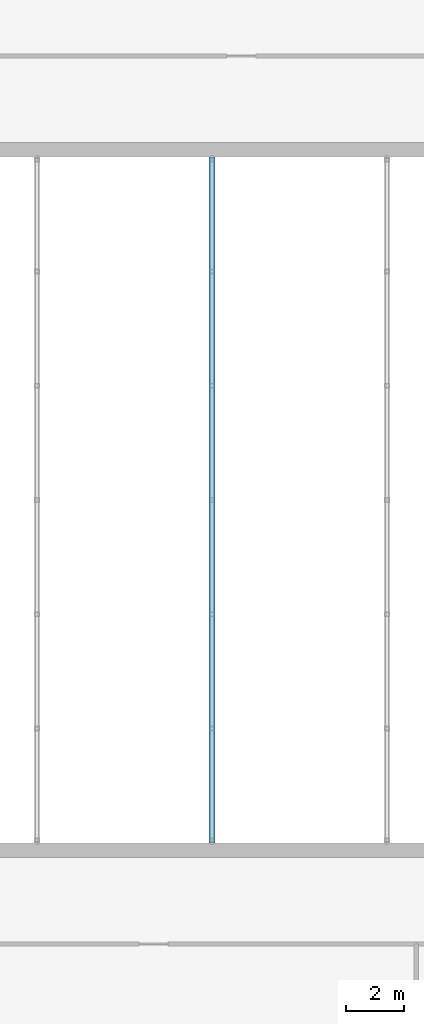
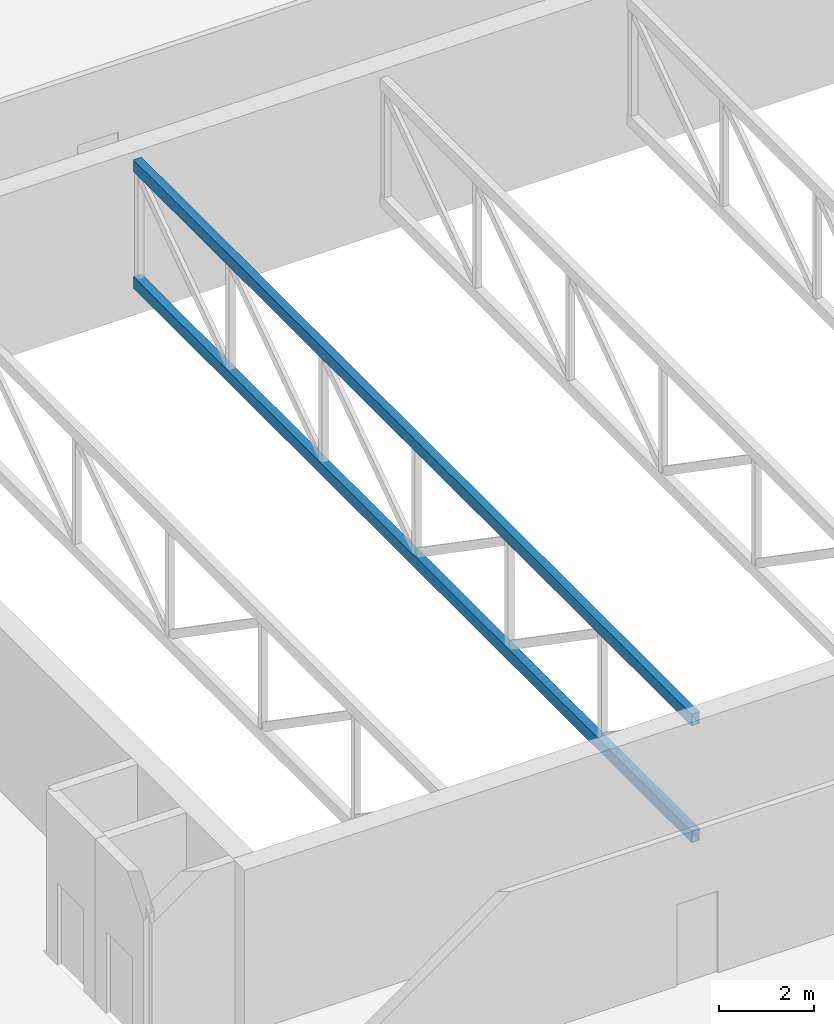
# One storey, part 11 of 47: 2 members.
"""IFC4 building model written with IfcOpenShell, lengths in metres."""

from ifc_helpers import new_model, si_unit, direction, frame, origin, origin_2d, place, context, subcontext, project, spatial, hollow_rectangle, extrude, material, material_profile, profile_set, type_object, element, save


model = new_model("IFC4")

# Units and contexts
model_context = context("Model", 3, precision=1e-05, world=origin(), true_north=direction((0.0, 1.0)))
body_context = subcontext(model_context, "Body", "Model", "MODEL_VIEW")
ifc_project = project(units=[si_unit("LENGTHUNIT", "METRE"), si_unit("AREAUNIT", "SQUARE_METRE"), si_unit("VOLUMEUNIT", "CUBIC_METRE"), si_unit("PLANEANGLEUNIT", "RADIAN"), si_unit("MASSUNIT", "GRAM", prefix="KILO")], contexts=[model_context])

# Site, building, storey
site_placement = place(None, origin())
site = spatial("IfcSite", under=ifc_project, at=site_placement, CompositionType="ELEMENT")
building_placement = place(site_placement, origin())
building = spatial("IfcBuilding", under=site, at=building_placement, Name="Nakaniwa Court", CompositionType="ELEMENT")
storey_placement = place(building_placement, frame((0.0, 0.0, 15.60009765625)))
storey = spatial("IfcBuildingStorey", under=building, at=storey_placement, Name="L03", CompositionType="ELEMENT", Elevation=15.60009765625)

# Members
ifc_material = material(Name="Steel AS/NZS 1163 Grade C350L0", Category="steel")
ifc_material_profile = material_profile(ifc_material, hollow_rectangle(XDim=0.199951171875, YDim=0.300048828125, WallThickness=0.010009765625, at=origin_2d()), Name="RHS 300x200x10")
ifc_profile_set = profile_set([ifc_material_profile], Name="Steel AS/NZS 1163 Grade C350L0")
member_type = type_object("IfcMemberType", Name="Roof truss chord RHS 300x200x10", PredefinedType="CHORD", material=ifc_profile_set)
for number, where, z_axis, x_axis, name in (
    (1, (181.0, 68.25, 3.849853515625), (0.0, 1.0, 0.0), (-1.0, 0.0, 0.0), "Roof truss A2 top chord"),
    (2, (181.0, 68.25, 0.849853515625), (0.0, 1.0, 0.0), (-1.0, 0.0, 0.0), "Roof truss A2 bottom chord"),
):
    element("IfcMember", number, at=place(storey_placement, frame(where, z_axis=z_axis, x_axis=x_axis)), inside=storey, type_object=member_type, Name=name, PredefinedType="CHORD", context=body_context, shape_type="SweptSolid", body=[
        extrude(hollow_rectangle(XDim=0.199951171875, YDim=0.300048828125, WallThickness=0.010009765625, at=origin_2d()), origin(), (0.0, 0.0, 1.0), 23.5),
    ])

save(model, "model.ifc")
